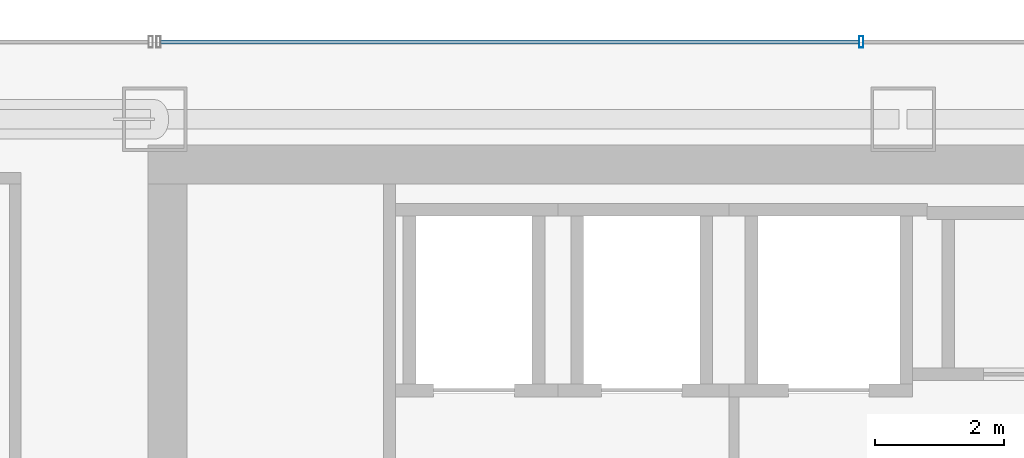
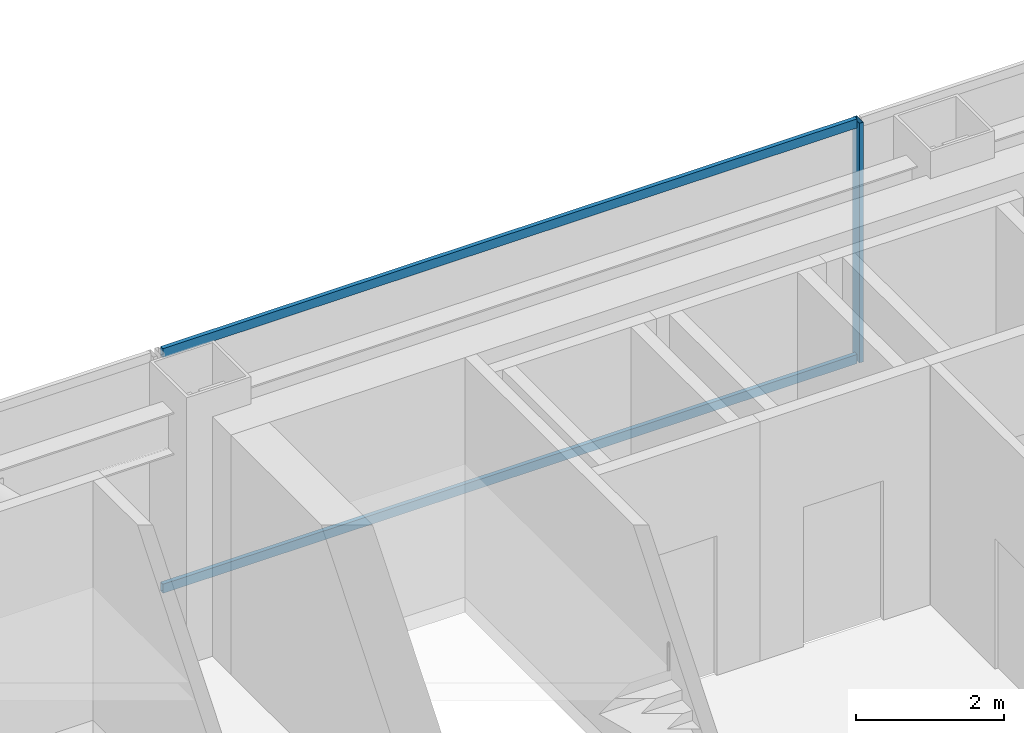
# One storey, part 22 of 36: 3 members, 1 element without a shape of its own.
"""IFC4 building model written with IfcOpenShell, lengths in metres."""

from ifc_helpers import new_model, si_unit, direction, frame, origin, origin_2d, place, context, subcontext, project, spatial, hollow_rectangle, extrude, material, material_profile, profile_set, type_object, element, aggregate, save


model = new_model("IFC4")

# Units and contexts
model_context = context("Model", 3, precision=1e-05, world=origin(), true_north=direction((0.0, 1.0)))
body_context = subcontext(model_context, "Body", "Model", "MODEL_VIEW")
ifc_project = project(units=[si_unit("LENGTHUNIT", "METRE"), si_unit("AREAUNIT", "SQUARE_METRE"), si_unit("VOLUMEUNIT", "CUBIC_METRE"), si_unit("PLANEANGLEUNIT", "RADIAN"), si_unit("MASSUNIT", "GRAM", prefix="KILO")], contexts=[model_context])

# Site, building, storey
site_placement = place(None, origin())
site = spatial("IfcSite", under=ifc_project, at=site_placement, CompositionType="ELEMENT")
building_placement = place(site_placement, origin())
building = spatial("IfcBuilding", under=site, at=building_placement, Name="Saevonmaru Cultural Tower", CompositionType="ELEMENT")
storey_placement = place(building_placement, frame((0.0, 0.0, 119.199951171875)))
storey = spatial("IfcBuildingStorey", under=building, at=storey_placement, Name="L25", CompositionType="ELEMENT", Elevation=119.199951171875)

# Curtain wall, members
ifc_material = material(Name="Satin Bronze Anodised Aluminium", Category="aluminium")
curtain_wall_type = type_object("IfcCurtainWallType", Name="CW-TYP-A", PredefinedType="NOTDEFINED", material=ifc_material)
curtain_wall_placement = place(storey_placement, origin())
curtain_wall = element("IfcCurtainWall", 1, at=curtain_wall_placement, inside=storey, type_object=curtain_wall_type, Name="L25 North Spine Unitised Curtain Wall E10B", PredefinedType="NOTDEFINED")
ifc_material_profile_1 = material_profile(ifc_material, hollow_rectangle(XDim=0.06494140625, YDim=0.179931640625, WallThickness=0.00390625, at=origin_2d()), Name="ALU-MULL-180x65x4")
ifc_profile_set_1 = profile_set([ifc_material_profile_1], Name="Satin Bronze Anodised Aluminium")
member_type_1 = type_object("IfcMemberType", Name="ML-CW-180x65", PredefinedType="MULLION", material=ifc_profile_set_1)
member_1_placement = place(storey_placement, frame((24.55322265625, 56.0, 0.0), z_axis=(0.0, 0.0, 1.0), x_axis=(-1.0, 0.0, 0.0)))
member_1 = element("IfcMember", 2, at=member_1_placement, type_object=member_type_1, Name="CW-TW-L25-E10B mullion 3", PredefinedType="MULLION", context=body_context, shape_type="SweptSolid", body=[
    extrude(hollow_rectangle(XDim=0.06494140625, YDim=0.179931640625, WallThickness=0.00390625, at=origin_2d()), origin(), (0.0, 0.0, 1.0), 3.949951171875),
])
ifc_material_profile_2 = material_profile(ifc_material, hollow_rectangle(XDim=0.06494140625, YDim=0.14990234375, WallThickness=0.00390625, at=origin_2d()), Name="ALU-TRAN-150x65x4")
ifc_profile_set_2 = profile_set([ifc_material_profile_2], Name="Satin Bronze Anodised Aluminium")
member_type_2 = type_object("IfcMemberType", Name="TR-CW-150x65", PredefinedType="USERDEFINED", material=ifc_profile_set_2)
member_2_placement = place(storey_placement, frame((24.520751953125, 56.0, 0.032470703125), z_axis=(-1.0, 0.0, 0.0), x_axis=(0.0, -1.0, 0.0)))
member_2 = element("IfcMember", 3, at=member_2_placement, type_object=member_type_2, Name="CW-TW-L25-E10B transom 3.1", ObjectType="TRANSOM", PredefinedType="USERDEFINED", context=body_context, shape_type="SweptSolid", body=[
    extrude(hollow_rectangle(XDim=0.06494140625, YDim=0.14990234375, WallThickness=0.00390625, at=origin_2d()), origin(), (0.0, 0.0, 1.0), 10.828369140625),
])
member_3_placement = place(storey_placement, frame((24.520751953125, 56.0, 3.91748046875), z_axis=(-1.0, 0.0, 0.0), x_axis=(0.0, -1.0, 0.0)))
member_3 = element("IfcMember", 4, at=member_3_placement, type_object=member_type_2, Name="CW-TW-L25-E10B transom 3.2", ObjectType="TRANSOM", PredefinedType="USERDEFINED", context=body_context, shape_type="SweptSolid", body=[
    extrude(hollow_rectangle(XDim=0.06494140625, YDim=0.14990234375, WallThickness=0.00390625, at=origin_2d()), origin(), (0.0, 0.0, 1.0), 10.828369140625),
])
aggregate(curtain_wall, [member_1, member_2, member_3])

save(model, "model.ifc")
